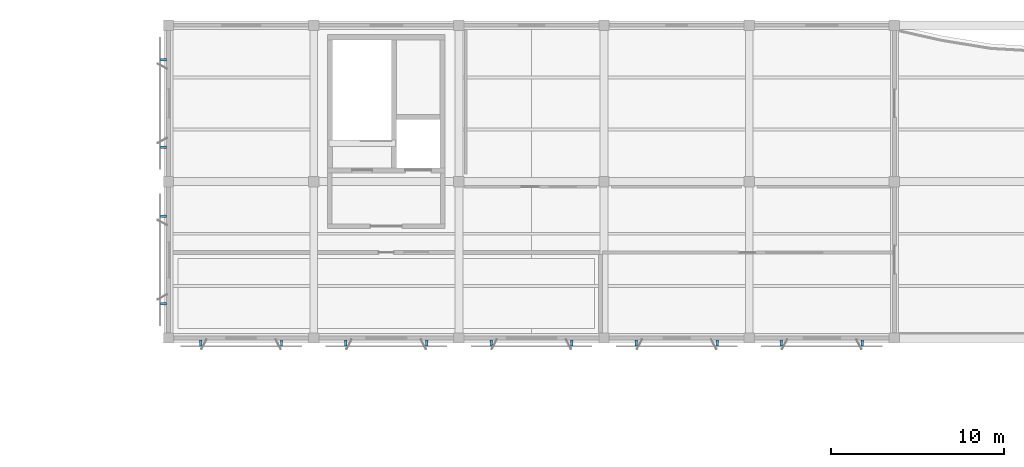
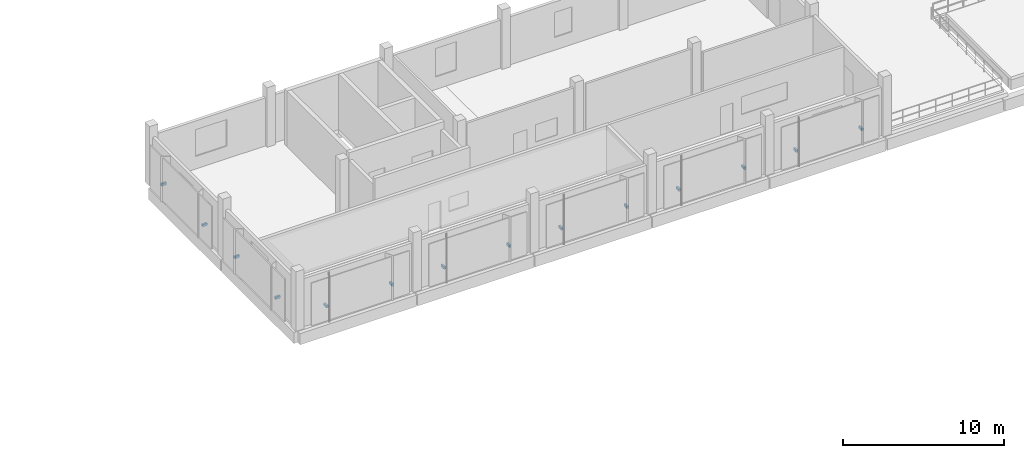
# One storey, part 23 of 28: 14 discrete accessories.
"""IFC4 building model written with IfcOpenShell, lengths in metres."""

from ifc_helpers import new_model, si_unit, direction, frame, origin, origin_2d, place, context, subcontext, project, spatial, rectangle, extrude, material, type_object, element, save


model = new_model("IFC4")

# Units and contexts
model_context = context("Model", 3, precision=1e-05, world=origin(), true_north=direction((0.0, 1.0)))
body_context = subcontext(model_context, "Body", "Model", "MODEL_VIEW")
ifc_project = project(units=[si_unit("LENGTHUNIT", "METRE"), si_unit("AREAUNIT", "SQUARE_METRE"), si_unit("VOLUMEUNIT", "CUBIC_METRE"), si_unit("PLANEANGLEUNIT", "RADIAN"), si_unit("MASSUNIT", "GRAM", prefix="KILO")], contexts=[model_context])

# Site, building, storey
site_placement = place(None, origin())
site = spatial("IfcSite", under=ifc_project, at=site_placement, CompositionType="ELEMENT")
building_placement = place(site_placement, origin())
building = spatial("IfcBuilding", under=site, at=building_placement, Name="Khurvash Pelagic Aquarium", CompositionType="ELEMENT")
storey_placement = place(building_placement, frame((0.0, 0.0, 20.10009765625)))
storey = spatial("IfcBuildingStorey", under=building, at=storey_placement, Name="L04", CompositionType="ELEMENT", Elevation=20.10009765625)

# Discrete accessories
ifc_material = material(Name="Hot-dip galvanised steel S355J2", Category="steel")
discrete_accessory_type = type_object("IfcDiscreteAccessoryType", Name="BK-01", PredefinedType="BRACKET", material=ifc_material)
for number, where, z_axis, x_axis, name in (
    (1, (60.6630859375, 83.764892578125, 1.10986328125), (0.0, 0.0, 1.0), (1.0, 0.0, 0.0), "L04 Jali Screen Support Bracket BK-01 0131"),
    (2, (65.3369140625, 83.764892578125, 1.10986328125), (0.0, 0.0, 1.0), (1.0, 0.0, 0.0), "L04 Jali Screen Support Bracket BK-01 0132"),
    (3, (69.06298828125, 83.764892578125, 1.10986328125), (0.0, 0.0, 1.0), (1.0, 0.0, 0.0), "L04 Jali Screen Support Bracket BK-01 0133"),
    (4, (73.737060546875, 83.764892578125, 1.10986328125), (0.0, 0.0, 1.0), (1.0, 0.0, 0.0), "L04 Jali Screen Support Bracket BK-01 0134"),
    (5, (77.462890625, 83.764892578125, 1.10986328125), (0.0, 0.0, 1.0), (1.0, 0.0, 0.0), "L04 Jali Screen Support Bracket BK-01 0135"),
    (6, (82.136962890625, 83.764892578125, 1.10986328125), (0.0, 0.0, 1.0), (1.0, 0.0, 0.0), "L04 Jali Screen Support Bracket BK-01 0136"),
    (7, (85.863037109375, 83.764892578125, 1.10986328125), (0.0, 0.0, 1.0), (1.0, 0.0, 0.0), "L04 Jali Screen Support Bracket BK-01 0137"),
    (8, (90.537109375, 83.764892578125, 1.10986328125), (0.0, 0.0, 1.0), (1.0, 0.0, 0.0), "L04 Jali Screen Support Bracket BK-01 0138"),
    (9, (94.262939453125, 83.764892578125, 1.10986328125), (0.0, 0.0, 1.0), (1.0, 0.0, 0.0), "L04 Jali Screen Support Bracket BK-01 0139"),
    (10, (98.93701171875, 83.764892578125, 1.10986328125), (0.0, 0.0, 1.0), (1.0, 0.0, 0.0), "L04 Jali Screen Support Bracket BK-01 0140"),
    (11, (58.514892578125, 100.156982421875, 1.10986328125), (0.0, 0.0, 1.0), (0.0, -1.0, 0.0), "L04 Jali Screen Support Bracket BK-01 0141"),
    (12, (58.514892578125, 95.093017578125, 1.10986328125), (0.0, 0.0, 1.0), (0.0, -1.0, 0.0), "L04 Jali Screen Support Bracket BK-01 0142"),
    (13, (58.514892578125, 91.10693359375, 1.10986328125), (0.0, 0.0, 1.0), (0.0, -1.0, 0.0), "L04 Jali Screen Support Bracket BK-01 0143"),
    (14, (58.514892578125, 86.04296875, 1.10986328125), (0.0, 0.0, 1.0), (0.0, -1.0, 0.0), "L04 Jali Screen Support Bracket BK-01 0144"),
):
    element("IfcDiscreteAccessory", number, at=place(storey_placement, frame(where, z_axis=z_axis, x_axis=x_axis)), inside=storey, type_object=discrete_accessory_type, Name=name, PredefinedType="BRACKET", context=body_context, shape_type="SweptSolid", body=[
        extrude(rectangle(XDim=0.139892578125, YDim=0.35009765625, at=origin_2d()), origin(), (0.0, 0.0, 1.0), 0.179931640625),
    ])

save(model, "model.ifc")
